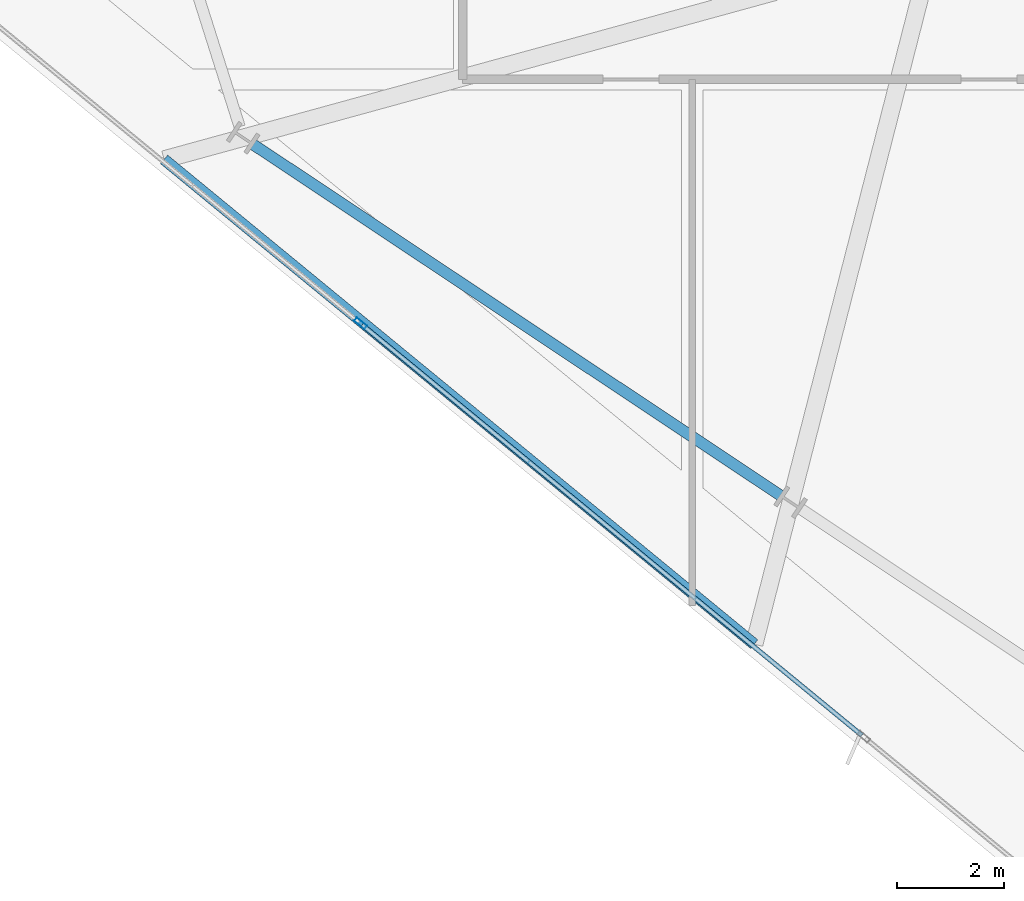
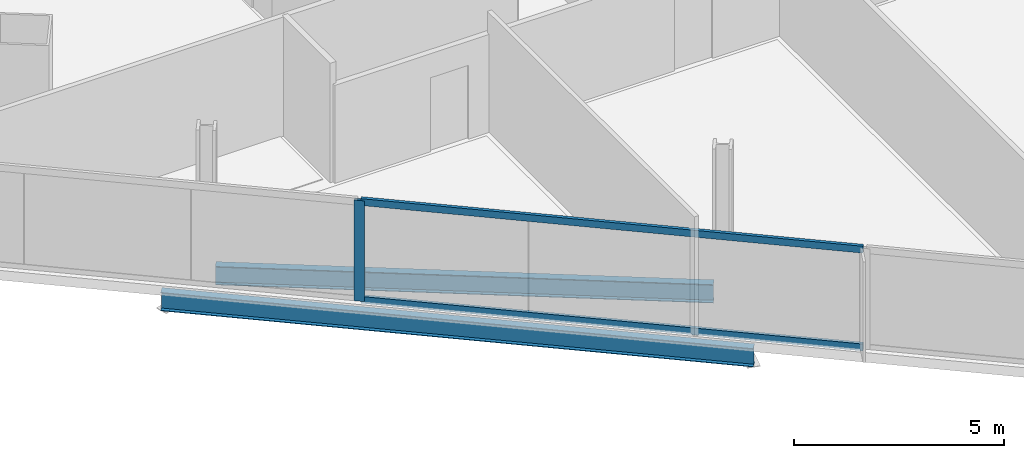
# One storey, part 2 of 28: 3 members, 2 beams, 1 element without a shape of its own.
"""IFC4 building model written with IfcOpenShell, lengths in metres."""

import ifcopenshell
import ifcopenshell.guid

model = None  # the IFC model being written
_history = None  # IfcOwnerHistory: only IFC2X3 demands one
_inside = {}  # id of a spatial element -> (the spatial element, [elements in it])
_under = {}  # id of a project, library or spatial element -> (it, [spatial elements below it])
_declared = {}  # id of a project -> (the project, [libraries it declares])
_typed = {}  # id of a type object -> (the type object, [elements of that type])
_made_of = {}  # id of a material, layer set ... -> (it, [elements and type objects made of it])


def new_model(schema):
    """Start an empty IFC model of exactly this schema.

    Asked for "IFC4X3", IfcOpenShell would pick the latest addendum, in which some entities
    have other attributes; the version numbers below select the first issue.
    IFC2X3 requires an IfcOwnerHistory on every rooted entity: one is made here for all.
    """
    global model, _history
    if schema == "IFC4X3":
        model = ifcopenshell.file(schema_version=(4, 3, 0, 0))
    else:
        model = ifcopenshell.file(schema=schema)
    _inside.clear()
    _under.clear()
    _declared.clear()
    _typed.clear()
    _made_of.clear()
    _history = None
    if model.schema == "IFC2X3":
        org = make("IfcOrganization", Name="unknown")
        user = make(
            "IfcPersonAndOrganization",
            ThePerson=make("IfcPerson", FamilyName="unknown"),
            TheOrganization=org,
        )
        app = make(
            "IfcApplication",
            ApplicationDeveloper=org,
            Version="unknown",
            ApplicationFullName="unknown",
            ApplicationIdentifier="unknown",
        )
        _history = make(
            "IfcOwnerHistory",
            OwningUser=user,
            OwningApplication=app,
            ChangeAction="ADDED",
            CreationDate=0,
        )
    return model


def make(cls, **values):
    """One entity of the class cls with the attributes given. An attribute that is None is left unset."""
    return model.create_entity(
        cls, **{name: value for name, value in values.items() if value is not None}
    )


def rooted(cls, **values):
    """An entity with a GlobalId (a new one), such as an element, a storey or a relation."""
    return make(cls, GlobalId=ifcopenshell.guid.new(), OwnerHistory=_history, **values)


def si_unit(unit_type, name, prefix=None):
    """IfcSIUnit, for example si_unit("LENGTHUNIT", "METRE", prefix="MILLI")."""
    return make("IfcSIUnit", UnitType=unit_type, Prefix=prefix, Name=name)


def assignment(units):
    """IfcUnitAssignment: the units of a project."""
    return None if units is None else make("IfcUnitAssignment", Units=units)


def point(xyz):
    """IfcCartesianPoint."""
    return None if xyz is None else make("IfcCartesianPoint", Coordinates=xyz)


def direction(xyz):
    """IfcDirection."""
    return None if xyz is None else make("IfcDirection", DirectionRatios=xyz)


def frame(location, z_axis=None, x_axis=None):
    """IfcAxis2Placement3D, a coordinate frame: its origin and axes. An axis left out is left unset."""
    return make(
        "IfcAxis2Placement3D",
        Location=point(location),
        Axis=direction(z_axis),
        RefDirection=direction(x_axis),
    )


def frame_2d(location, x_axis=None):
    """IfcAxis2Placement2D, a coordinate frame in the plane: its origin and x axis."""
    return make(
        "IfcAxis2Placement2D", Location=point(location), RefDirection=direction(x_axis)
    )


def origin():
    """The frame at (0, 0, 0) with its axes left unset."""
    return frame((0.0, 0.0, 0.0))


def origin_2d():
    """The frame at (0, 0) in the plane with its x axis left unset."""
    return frame_2d((0.0, 0.0))


def place(relative_to, where):
    """IfcLocalPlacement: puts the frame where relative to a parent placement (None: the world)."""
    return make(
        "IfcLocalPlacement", PlacementRelTo=relative_to, RelativePlacement=where
    )


def context(
    kind, dimensions, precision=None, world=None, true_north=None, identifier=None
):
    """IfcGeometricRepresentationContext, for example the 3D "Model" context."""
    return make(
        "IfcGeometricRepresentationContext",
        ContextIdentifier=identifier,
        ContextType=kind,
        CoordinateSpaceDimension=dimensions,
        Precision=precision,
        WorldCoordinateSystem=world,
        TrueNorth=true_north,
    )


def subcontext(parent, identifier, kind, view, scale=None):
    """IfcGeometricRepresentationSubContext, for example "Body" below "Model"."""
    return make(
        "IfcGeometricRepresentationSubContext",
        ContextIdentifier=identifier,
        ContextType=kind,
        ParentContext=parent,
        TargetScale=scale,
        TargetView=view,
    )


def project(units=None, contexts=None):
    """IfcProject with its units and contexts."""
    return rooted(
        "IfcProject",
        Name="project",
        RepresentationContexts=contexts,
        UnitsInContext=assignment(units),
    )


def spatial(cls, under=None, at=None, **own):
    """A site, building, storey or space (cls), placed at a placement, below another one or the project."""
    s = rooted(cls, ObjectPlacement=at, **own)
    if under is not None:
        _under.setdefault(under.id(), (under, []))[1].append(s)
    return s


def profile(cls, at=None, kind="AREA", **sizes):
    """A parametric profile (cls). Its sizes go by their IFC names, for example OverallWidth=200.0."""
    return make(cls, ProfileType=kind, Position=at, **sizes)


def hollow_rectangle(**sizes):
    """IfcRectangleHollowProfileDef."""
    return profile("IfcRectangleHollowProfileDef", **sizes)


def i_section(**sizes):
    """IfcIShapeProfileDef."""
    return profile("IfcIShapeProfileDef", **sizes)


def extrude(swept, where, along, depth):
    """IfcExtrudedAreaSolid: the profile swept, set in the frame where, extruded along a direction by depth."""
    return make(
        "IfcExtrudedAreaSolid",
        SweptArea=swept,
        Position=where,
        ExtrudedDirection=direction(along),
        Depth=depth,
    )


def shape(context_of_items, identifier, shape_type, items):
    """IfcShapeRepresentation: the items that make up one representation, for example the "Body"."""
    return make(
        "IfcShapeRepresentation",
        ContextOfItems=context_of_items,
        RepresentationIdentifier=identifier,
        RepresentationType=shape_type,
        Items=items,
    )


def material(Name=None, Category=None):
    """IfcMaterial."""
    return make("IfcMaterial", Name=Name, Category=Category)


def material_profile(
    of_material, cross_section, Name=None, Category=None, Priority=None
):
    """IfcMaterialProfile: a cross section and its material."""
    return make(
        "IfcMaterialProfile",
        Name=Name,
        Material=of_material,
        Profile=cross_section,
        Priority=Priority,
        Category=Category,
    )


def profile_set(profiles, Name=None, composite=None):
    """IfcMaterialProfileSet."""
    return make(
        "IfcMaterialProfileSet",
        Name=Name,
        MaterialProfiles=profiles,
        CompositeProfile=composite,
    )


def made_of(thing, what):
    """Note that an element or type object is made of a material, layer set ...; save() writes the relation."""
    if what is not None:
        _made_of.setdefault(what.id(), (what, []))[1].append(thing)
    return thing


def type_object(cls, material=None, **own):
    """A type object (cls), such as IfcWallType, which elements share."""
    return made_of(rooted(cls, **own), material)


def element(
    cls,
    number,
    at=None,
    inside=None,
    cuts=None,
    type_object=None,
    material=None,
    context=None,
    identifier="Body",
    shape_type=None,
    held_by="IfcProductDefinitionShape",
    body=None,
    shapes=None,
    **own,
):
    """One element of the class cls, such as IfcWall. Its Tag is "e" and its number.

    at: its placement. inside: the storey or other place that contains it. cuts: it is an
    opening in that element (IfcRelVoidsElement). A single representation is given by context,
    identifier, shape_type and body (its items); several are given by shapes. held_by: the class
    of the entity that holds the representations. save() writes the other relations.
    """
    e = rooted(cls, Tag="e%d" % number, ObjectPlacement=at, **own)
    if body is not None:
        shapes = [shape(context, identifier, shape_type, body)]
    if shapes is not None:
        e.Representation = make(held_by, Representations=shapes)
    if inside is not None:
        _inside.setdefault(inside.id(), (inside, []))[1].append(e)
    if cuts is not None:
        rooted(
            "IfcRelVoidsElement", RelatingBuildingElement=cuts, RelatedOpeningElement=e
        )
    if type_object is not None:
        _typed.setdefault(type_object.id(), (type_object, []))[1].append(e)
    return made_of(e, material)


def aggregate(whole, parts):
    """IfcRelAggregates: a whole, such as a stair, and the parts it consists of."""
    return rooted("IfcRelAggregates", RelatingObject=whole, RelatedObjects=parts)


def save(model, path):
    """Write the relations noted so far, then the file.

    IfcRelAggregates (storeys below a building ...), IfcRelContainedInSpatialStructure (elements
    in a storey), IfcRelDefinesByType, IfcRelAssociatesMaterial and IfcRelDeclares: one each for
    every whole, place, type object, material and project.
    """
    for whole, parts in _under.values():
        aggregate(whole, parts)
    for where, things in _inside.values():
        rooted(
            "IfcRelContainedInSpatialStructure",
            RelatedElements=things,
            RelatingStructure=where,
        )
    for kind, things in _typed.values():
        rooted("IfcRelDefinesByType", RelatedObjects=things, RelatingType=kind)
    for what, things in _made_of.values():
        rooted("IfcRelAssociatesMaterial", RelatedObjects=things, RelatingMaterial=what)
    for by, libraries in _declared.values():
        rooted("IfcRelDeclares", RelatingContext=by, RelatedDefinitions=libraries)
    model.write(path)


model = new_model("IFC4")

# Units and contexts
model_context = context("Model", 3, precision=1e-05, world=origin(), true_north=direction((0.0, 1.0)))
body_context = subcontext(model_context, "Body", "Model", "MODEL_VIEW")
ifc_project = project(units=[si_unit("LENGTHUNIT", "METRE"), si_unit("AREAUNIT", "SQUARE_METRE"), si_unit("VOLUMEUNIT", "CUBIC_METRE"), si_unit("PLANEANGLEUNIT", "RADIAN"), si_unit("MASSUNIT", "GRAM", prefix="KILO")], contexts=[model_context])

# Site, building, storey
site_placement = place(None, origin())
site = spatial("IfcSite", under=ifc_project, at=site_placement, CompositionType="ELEMENT")
building_placement = place(site_placement, origin())
building = spatial("IfcBuilding", under=site, at=building_placement, Name="Haldenkirk Collegiate Tower", CompositionType="ELEMENT")
storey_placement = place(building_placement, frame((0.0, 0.0, 198.449951171875)))
storey = spatial("IfcBuildingStorey", under=building, at=storey_placement, Name="L49", CompositionType="ELEMENT", Elevation=198.449951171875)

# Beams
ifc_material_1 = material(Name="Steel ASTM A992 Grade 50", Category="steel")
ifc_material_profile_1 = material_profile(ifc_material_1, i_section(OverallWidth=0.2099609375, OverallDepth=0.537109375, WebThickness=0.010986328125, FlangeThickness=0.017333984375, at=origin_2d()), Name="W21X68")
ifc_profile_set_1 = profile_set([ifc_material_profile_1], Name="Steel ASTM A992 Grade 50")
beam_type = type_object("IfcBeamType", Name="BM-SPANDREL-W21X68", PredefinedType="SPANDREL", material=ifc_profile_set_1)
beam_1_placement = place(storey_placement, frame((14.26904296875, 14.337158203125, -0.54833984375), z_axis=(0.832438805455, -0.554116986901, 0.0), x_axis=(0.554116986901, 0.832438805455, 0.0)))
element("IfcBeam", 1, at=beam_1_placement, inside=storey, type_object=beam_type, Name="L49 perimeter spandrel beam 14", PredefinedType="SPANDREL", context=body_context, shape_type="SweptSolid", body=[
    extrude(i_section(OverallWidth=0.2099609375, OverallDepth=0.537109375, WebThickness=0.010986328125, FlangeThickness=0.017333984375, at=origin_2d()), origin(), (0.0, 0.0, 1.0), 11.885009765625),
])
beam_2_placement = place(storey_placement, frame((12.60888671875, 14.051513671875, -0.54833984375), z_axis=(0.77273761575, -0.634725592051, 0.0), x_axis=(0.634725592051, 0.77273761575, 0.0)))
element("IfcBeam", 2, at=beam_2_placement, inside=storey, type_object=beam_type, Name="L49 outer facade edge beam 4", PredefinedType="SPANDREL", context=body_context, shape_type="SweptSolid", body=[
    extrude(i_section(OverallWidth=0.2099609375, OverallDepth=0.537109375, WebThickness=0.010986328125, FlangeThickness=0.017333984375, at=origin_2d()), origin(), (0.0, 0.0, 1.0), 14.303955078125),
])

# Curtain wall, members
ifc_material_2 = material(Name="Anodised architectural bronze aluminium", Category="aluminium")
curtain_wall_type = type_object("IfcCurtainWallType", Name="CW-SYS1B-CONVEX-HI", PredefinedType="USERDEFINED", material=ifc_material_2)
curtain_wall_placement = place(storey_placement, origin())
curtain_wall = element("IfcCurtainWall", 3, at=curtain_wall_placement, inside=storey, type_object=curtain_wall_type, Name="L49 Upper tower high-wind convex bronze unitised curtain wall", ObjectType="UNITISED CURTAIN WALL", PredefinedType="USERDEFINED")
ifc_material_profile_2 = material_profile(ifc_material_2, hollow_rectangle(XDim=0.0849609375, YDim=0.25, WallThickness=0.0048828125, at=origin_2d()), Name="CW-MUL-1B")
ifc_profile_set_2 = profile_set([ifc_material_profile_2], Name="Anodised architectural bronze aluminium")
member_type_1 = type_object("IfcMemberType", Name="CW-MUL-1B", PredefinedType="MULLION", material=ifc_profile_set_2)
member_1_placement = place(storey_placement, frame((16.285888671875, 10.979736328125, 0.0), z_axis=(0.0, 0.0, 1.0), x_axis=(-0.634730275566, -0.772733768694, 0.0)))
member_1 = element("IfcMember", 4, at=member_1_placement, type_object=member_type_1, Name="CW-1B mullion 3", PredefinedType="MULLION", context=body_context, shape_type="SweptSolid", body=[
    extrude(hollow_rectangle(XDim=0.0849609375, YDim=0.25, WallThickness=0.0048828125, at=origin_2d()), origin(), (0.0, 0.0, 1.0), 2.927978515625),
])
ifc_material_profile_3 = material_profile(ifc_material_2, hollow_rectangle(XDim=0.0849609375, YDim=0.199951171875, WallThickness=0.0048828125, at=origin_2d()), Name="CW-TRN-1B")
ifc_profile_set_3 = profile_set([ifc_material_profile_3], Name="Anodised architectural bronze aluminium")
member_type_2 = type_object("IfcMemberType", Name="CW-TRN-1B", PredefinedType="USERDEFINED", material=ifc_profile_set_3)
member_2_placement = place(storey_placement, frame((25.68017578125, 3.262939453125, 0.04248046875), z_axis=(-0.772732961623, 0.63473125811, 0.0), x_axis=(-0.63473125811, -0.772732961623, 0.0)))
member_2 = element("IfcMember", 5, at=member_2_placement, type_object=member_type_2, Name="CW-1B transom 2.1", ObjectType="TRANSOM", PredefinedType="USERDEFINED", context=body_context, shape_type="SweptSolid", body=[
    extrude(hollow_rectangle(XDim=0.0849609375, YDim=0.199951171875, WallThickness=0.0048828125, at=origin_2d()), origin(), (0.0, 0.0, 1.0), 12.114990234375),
])
member_3_placement = place(storey_placement, frame((25.68017578125, 3.262939453125, 2.885498046875), z_axis=(-0.772732961623, 0.63473125811, 0.0), x_axis=(-0.63473125811, -0.772732961623, 0.0)))
member_3 = element("IfcMember", 6, at=member_3_placement, type_object=member_type_2, Name="CW-1B transom 2.2", ObjectType="TRANSOM", PredefinedType="USERDEFINED", context=body_context, shape_type="SweptSolid", body=[
    extrude(hollow_rectangle(XDim=0.0849609375, YDim=0.199951171875, WallThickness=0.0048828125, at=origin_2d()), origin(), (0.0, 0.0, 1.0), 12.114990234375),
])
aggregate(curtain_wall, [member_1, member_2, member_3])

save(model, "model.ifc")
